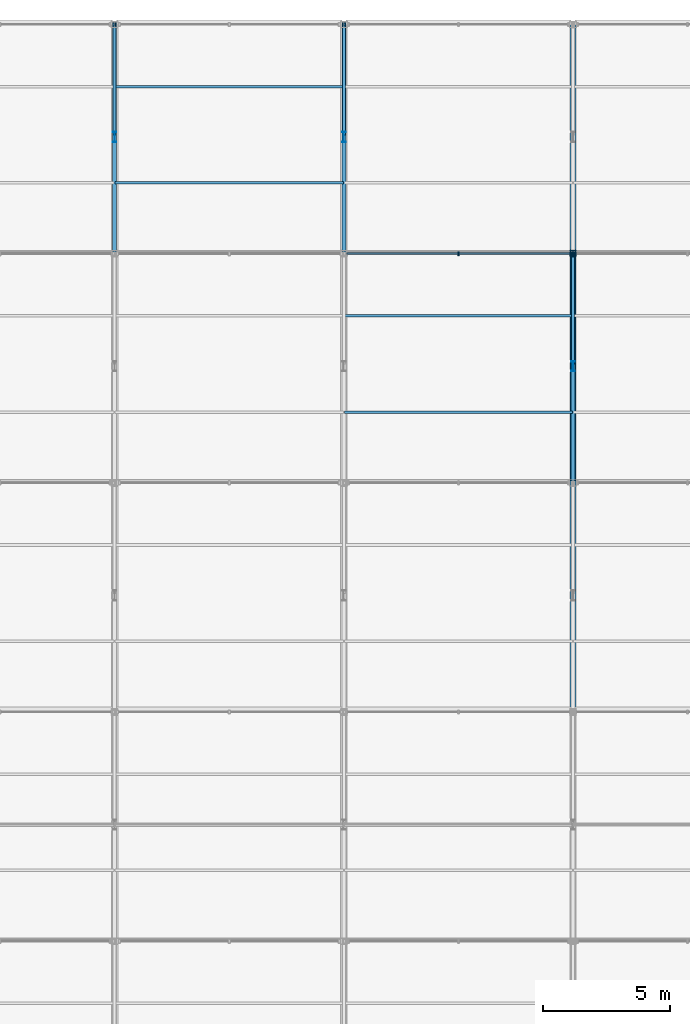
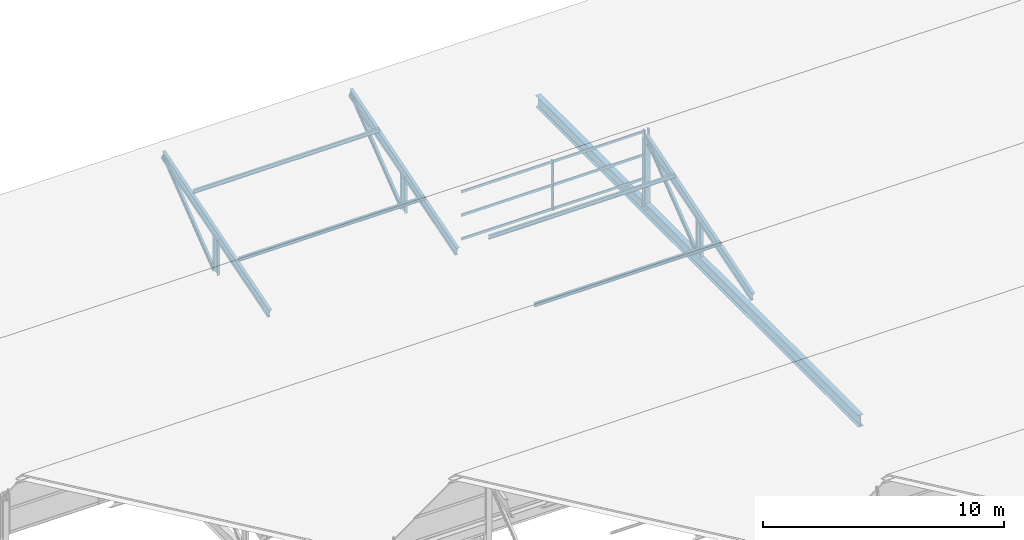
# One storey, part 102 of 163: 23 members, 1 beam, 2 elements without a shape of their own.
"""IFC4 building model written with IfcOpenShell, lengths in metres."""

from ifc_helpers import new_model, si_unit, direction, frame, origin, origin_2d, place, context, subcontext, project, spatial, rectangle, i_section, extrude, material, material_profile, profile_set, type_object, element, aggregate, save


model = new_model("IFC4")

# Units and contexts
model_context = context("Model", 3, precision=1e-05, world=origin(), true_north=direction((0.0, 1.0)))
body_context = subcontext(model_context, "Body", "Model", "MODEL_VIEW")
ifc_project = project(units=[si_unit("LENGTHUNIT", "METRE"), si_unit("AREAUNIT", "SQUARE_METRE"), si_unit("VOLUMEUNIT", "CUBIC_METRE"), si_unit("PLANEANGLEUNIT", "RADIAN"), si_unit("MASSUNIT", "GRAM", prefix="KILO")], contexts=[model_context])

# Site, building, storey
site_placement = place(None, origin())
site = spatial("IfcSite", under=ifc_project, at=site_placement, CompositionType="ELEMENT")
building_placement = place(site_placement, origin())
building = spatial("IfcBuilding", under=site, at=building_placement, Name="Tharagai Park Tramway Depot", CompositionType="ELEMENT")
storey_placement = place(building_placement, frame((0.0, 0.0, 8.39990234375)))
storey = spatial("IfcBuildingStorey", under=building, at=storey_placement, Name="L02", CompositionType="ELEMENT", Elevation=8.39990234375)

# Beam
ifc_material_1 = material(Name="Steel E350", Category="steel")
ifc_material_profile_1 = material_profile(ifc_material_1, i_section(OverallWidth=0.25, OverallDepth=0.60009765625, WebThickness=0.01171875, FlangeThickness=0.023681640625, FilletRadius=0.01708984375, at=origin_2d()), Name="ISWB 600")
ifc_profile_set_1 = profile_set([ifc_material_profile_1], Name="Steel E350")
beam_type = type_object("IfcBeamType", Name="BM-01", PredefinedType="BEAM", material=ifc_profile_set_1)
beam_placement = place(storey_placement, frame((117.0, 117.080078125, -0.25), z_axis=(0.0, 1.0, 0.0), x_axis=(-1.0, 0.0, 0.0)))
element("IfcBeam", 1, at=beam_placement, inside=storey, type_object=beam_type, Name="Sawtooth Truss Bottom Tie Girder BM-01", PredefinedType="BEAM", context=body_context, shape_type="SweptSolid", body=[
    extrude(i_section(OverallWidth=0.25, OverallDepth=0.60009765625, WebThickness=0.01171875, FlangeThickness=0.023681640625, FilletRadius=0.01708984375, at=origin_2d()), origin(), (0.0, 0.0, 1.0), 26.83984375),
])

# Members
ifc_material_profile_2 = material_profile(ifc_material_1, i_section(OverallWidth=0.25, OverallDepth=0.25, WebThickness=0.0087890625, FlangeThickness=0.009765625, FilletRadius=0.010009765625, at=origin_2d()), Name="ISHB 250")
ifc_profile_set_2 = profile_set([ifc_material_profile_2], Name="Steel E350")
member_type_1 = type_object("IfcMemberType", Name="BR-01", PredefinedType="BRACE", material=ifc_profile_set_2)
member_1_placement = place(storey_placement, frame((117.0, 134.919921875, -0.25), z_axis=(0.0, 0.0, 1.0), x_axis=(1.0, 0.0, 0.0)))
element("IfcMember", 2, at=member_1_placement, inside=storey, type_object=member_type_1, Name="Sawtooth North Vertical Post BR-01", PredefinedType="BRACE", context=body_context, shape_type="SweptSolid", body=[
    extrude(i_section(OverallWidth=0.25, OverallDepth=0.25, WebThickness=0.0087890625, FlangeThickness=0.009765625, FilletRadius=0.010009765625, at=origin_2d()), origin(), (0.0, 0.0, 1.0), 3.55517578125),
])
ifc_material_profile_3 = material_profile(ifc_material_1, i_section(OverallWidth=0.110107421875, OverallDepth=0.22509765625, WebThickness=0.006591796875, FlangeThickness=0.01171875, FilletRadius=0.011962890625, at=origin_2d()), Name="ISMB 225")
ifc_profile_set_3 = profile_set([ifc_material_profile_3], Name="Steel E350")
member_type_2 = type_object("IfcMemberType", Name="BR-04", PredefinedType="BRACE", material=ifc_profile_set_3)
for number, where, z_axis, x_axis, name in (
    (3, (99.0, 139.64990234375, 0.0), (0.0, 0.790781596, 0.612098413188), (-1.0, 0.0, 0.0), "Sawtooth Truss Web Diagonal BR-04"),
    (4, (108.0, 139.64990234375, 0.0), (0.0, 0.790781596, 0.612098413188), (-1.0, 0.0, 0.0), "Sawtooth Truss Web Diagonal BR-04"),
    (5, (117.0, 130.64990234375, 0.0), (0.0, 0.790781596, 0.612098413188), (-1.0, 0.0, 0.0), "Sawtooth Truss Web Diagonal BR-04"),
):
    element("IfcMember", number, at=place(storey_placement, frame(where, z_axis=z_axis, x_axis=x_axis)), inside=storey, type_object=member_type_2, Name=name, PredefinedType="BRACE", context=body_context, shape_type="SweptSolid", body=[
        extrude(i_section(OverallWidth=0.110107421875, OverallDepth=0.22509765625, WebThickness=0.006591796875, FlangeThickness=0.01171875, FilletRadius=0.011962890625, at=origin_2d()), origin(), (0.0, 0.0, 1.0), 5.399658203125),
    ])

# Curtain wall, members
ifc_material_2 = material(Name="Anodised aluminium", Category="aluminium")
curtain_wall_type = type_object("IfcCurtainWallType", Name="CW-04", PredefinedType="NOTDEFINED", material=ifc_material_2)
curtain_wall_1_placement = place(storey_placement, origin())
curtain_wall_1 = element("IfcCurtainWall", 6, at=curtain_wall_1_placement, inside=storey, type_object=curtain_wall_type, Name="Sawtooth North-Light Clerestory CW-04", PredefinedType="NOTDEFINED")
ifc_material_profile_4 = material_profile(ifc_material_2, rectangle(XDim=0.06494140625, YDim=0.1201171875, at=origin_2d()), Name="ALU 65x120")
ifc_profile_set_4 = profile_set([ifc_material_profile_4], Name="Anodised aluminium")
member_type_3 = type_object("IfcMemberType", Name="CM-01", PredefinedType="USERDEFINED", material=ifc_profile_set_4)
member_2_placement = place(storey_placement, frame((108.114990234375, 134.919921875, 1.26513671875), z_axis=(1.0, 0.0, 0.0), x_axis=(0.0, 1.0, 0.0)))
member_2 = element("IfcMember", 7, at=member_2_placement, type_object=member_type_3, Name="Sawtooth North-Light Clerestory Transom 1.1", ObjectType="TRANSOM", PredefinedType="USERDEFINED", context=body_context, shape_type="SweptSolid", body=[
    extrude(rectangle(XDim=0.06494140625, YDim=0.1201171875, at=origin_2d()), origin(), (0.0, 0.0, 1.0), 4.3701171875),
])
member_3_placement = place(storey_placement, frame((108.114990234375, 134.919921875, 2.4736328125), z_axis=(1.0, 0.0, 0.0), x_axis=(0.0, 1.0, 0.0)))
member_3 = element("IfcMember", 8, at=member_3_placement, type_object=member_type_3, Name="Sawtooth North-Light Clerestory Transom 1.2", ObjectType="TRANSOM", PredefinedType="USERDEFINED", context=body_context, shape_type="SweptSolid", body=[
    extrude(rectangle(XDim=0.06494140625, YDim=0.1201171875, at=origin_2d()), origin(), (0.0, 0.0, 1.0), 4.3701171875),
])
member_4_placement = place(storey_placement, frame((108.114990234375, 134.919921875, 3.662353515625), z_axis=(1.0, 0.0, 0.0), x_axis=(0.0, 1.0, 0.0)))
member_4 = element("IfcMember", 9, at=member_4_placement, type_object=member_type_3, Name="Sawtooth North-Light Clerestory Transom 1.3", ObjectType="TRANSOM", PredefinedType="USERDEFINED", context=body_context, shape_type="SweptSolid", body=[
    extrude(rectangle(XDim=0.06494140625, YDim=0.1201171875, at=origin_2d()), origin(), (0.0, 0.0, 1.0), 4.3701171875),
])
member_5_placement = place(storey_placement, frame((112.514892578125, 134.919921875, 1.26513671875), z_axis=(1.0, 0.0, 0.0), x_axis=(0.0, 1.0, 0.0)))
member_5 = element("IfcMember", 10, at=member_5_placement, type_object=member_type_3, Name="Sawtooth North-Light Clerestory Transom 2.1", ObjectType="TRANSOM", PredefinedType="USERDEFINED", context=body_context, shape_type="SweptSolid", body=[
    extrude(rectangle(XDim=0.06494140625, YDim=0.1201171875, at=origin_2d()), origin(), (0.0, 0.0, 1.0), 4.3701171875),
])
member_6_placement = place(storey_placement, frame((112.514892578125, 134.919921875, 2.4736328125), z_axis=(1.0, 0.0, 0.0), x_axis=(0.0, 1.0, 0.0)))
member_6 = element("IfcMember", 11, at=member_6_placement, type_object=member_type_3, Name="Sawtooth North-Light Clerestory Transom 2.2", ObjectType="TRANSOM", PredefinedType="USERDEFINED", context=body_context, shape_type="SweptSolid", body=[
    extrude(rectangle(XDim=0.06494140625, YDim=0.1201171875, at=origin_2d()), origin(), (0.0, 0.0, 1.0), 4.3701171875),
])
member_7_placement = place(storey_placement, frame((112.514892578125, 134.919921875, 3.662353515625), z_axis=(1.0, 0.0, 0.0), x_axis=(0.0, 1.0, 0.0)))
member_7 = element("IfcMember", 12, at=member_7_placement, type_object=member_type_3, Name="Sawtooth North-Light Clerestory Transom 2.3", ObjectType="TRANSOM", PredefinedType="USERDEFINED", context=body_context, shape_type="SweptSolid", body=[
    extrude(rectangle(XDim=0.06494140625, YDim=0.1201171875, at=origin_2d()), origin(), (0.0, 0.0, 1.0), 4.3701171875),
])
ifc_material_profile_5 = material_profile(ifc_material_2, rectangle(XDim=0.06494140625, YDim=0.14990234375, at=origin_2d()), Name="ALU 65x150")
ifc_profile_set_5 = profile_set([ifc_material_profile_5], Name="Anodised aluminium")
member_type_4 = type_object("IfcMemberType", Name="CM-03", PredefinedType="MULLION", material=ifc_profile_set_5)
member_8_placement = place(storey_placement, frame((112.5, 134.919921875, 1.2001953125), z_axis=(0.0, 0.0, 1.0), x_axis=(1.0, 0.0, 0.0)))
member_8 = element("IfcMember", 13, at=member_8_placement, type_object=member_type_4, Name="Sawtooth North-Light Clerestory Mullion 2", PredefinedType="MULLION", context=body_context, shape_type="SweptSolid", body=[
    extrude(rectangle(XDim=0.06494140625, YDim=0.14990234375, at=origin_2d()), origin(), (0.0, 0.0, 1.0), 2.547119140625),
])
member_9_placement = place(storey_placement, frame((116.89990234375, 134.919921875, 1.2001953125), z_axis=(0.0, 0.0, 1.0), x_axis=(1.0, 0.0, 0.0)))
member_9 = element("IfcMember", 14, at=member_9_placement, type_object=member_type_4, Name="Sawtooth North-Light Clerestory Mullion 3", PredefinedType="MULLION", context=body_context, shape_type="SweptSolid", body=[
    extrude(rectangle(XDim=0.06494140625, YDim=0.14990234375, at=origin_2d()), origin(), (0.0, 0.0, 1.0), 2.547119140625),
])
aggregate(curtain_wall_1, [member_8, member_9, member_2, member_3, member_4, member_5, member_6, member_7])

# Curtain wall, member
curtain_wall_2_placement = place(storey_placement, origin())
curtain_wall_2 = element("IfcCurtainWall", 15, at=curtain_wall_2_placement, inside=storey, type_object=curtain_wall_type, Name="Sawtooth North-Light Clerestory CW-04", PredefinedType="NOTDEFINED")
member_10_placement = place(storey_placement, frame((117.10009765625, 134.919921875, 1.2001953125), z_axis=(0.0, 0.0, 1.0), x_axis=(1.0, 0.0, 0.0)))
member_10 = element("IfcMember", 16, at=member_10_placement, type_object=member_type_4, Name="Sawtooth North-Light Clerestory Mullion 1", PredefinedType="MULLION", context=body_context, shape_type="SweptSolid", body=[
    extrude(rectangle(XDim=0.06494140625, YDim=0.14990234375, at=origin_2d()), origin(), (0.0, 0.0, 1.0), 2.547119140625),
])
aggregate(curtain_wall_2, [member_10])

# Members
ifc_material_3 = material(Name="Steel E250", Category="steel")
ifc_material_profile_6 = material_profile(ifc_material_3, i_section(OverallWidth=0.10009765625, OverallDepth=0.199951171875, WebThickness=0.00537109375, FlangeThickness=0.00732421875, FilletRadius=0.009033203125, at=origin_2d()), Name="ISLB 200")
ifc_profile_set_6 = profile_set([ifc_material_profile_6], Name="Steel E250")
member_type_5 = type_object("IfcMemberType", Name="PR-03", PredefinedType="PURLIN", material=ifc_profile_set_6)
for number, where, z_axis, x_axis, name in (
    (17, (99.02001953125, 137.699951171875, 1.733154296875), (1.0, 0.0, 0.0), (0.0, 1.0, 0.0), "Sawtooth Roof Purlin PR-03"),
    (18, (99.02001953125, 141.47998046875, 2.87451171875), (1.0, 0.0, 0.0), (0.0, 1.0, 0.0), "Sawtooth Roof Purlin PR-03"),
):
    element("IfcMember", number, at=place(storey_placement, frame(where, z_axis=z_axis, x_axis=x_axis)), inside=storey, type_object=member_type_5, Name=name, PredefinedType="PURLIN", context=body_context, shape_type="SweptSolid", body=[
        extrude(i_section(OverallWidth=0.10009765625, OverallDepth=0.199951171875, WebThickness=0.00537109375, FlangeThickness=0.00732421875, FilletRadius=0.009033203125, at=origin_2d()), origin(), (0.0, 0.0, 1.0), 8.9599609375),
    ])
ifc_material_profile_7 = material_profile(ifc_material_3, i_section(OverallWidth=0.10009765625, OverallDepth=0.199951171875, WebThickness=0.005615234375, FlangeThickness=0.0107421875, FilletRadius=0.010986328125, at=origin_2d()), Name="ISMB 200")
ifc_profile_set_7 = profile_set([ifc_material_profile_7], Name="Steel E250")
member_type_6 = type_object("IfcMemberType", Name="PR-04", PredefinedType="PURLIN", material=ifc_profile_set_7)
for number, where, z_axis, x_axis, name in (
    (19, (108.02001953125, 128.699951171875, 1.733154296875), (1.0, 0.0, 0.0), (0.0, 1.0, 0.0), "Sawtooth Roof Purlin PR-04"),
    (20, (108.02001953125, 132.47998046875, 2.87451171875), (1.0, 0.0, 0.0), (0.0, 1.0, 0.0), "Sawtooth Roof Purlin PR-04"),
):
    element("IfcMember", number, at=place(storey_placement, frame(where, z_axis=z_axis, x_axis=x_axis)), inside=storey, type_object=member_type_6, Name=name, PredefinedType="PURLIN", context=body_context, shape_type="SweptSolid", body=[
        extrude(i_section(OverallWidth=0.10009765625, OverallDepth=0.199951171875, WebThickness=0.005615234375, FlangeThickness=0.0107421875, FilletRadius=0.010986328125, at=origin_2d()), origin(), (0.0, 0.0, 1.0), 8.9599609375),
    ])
ifc_material_profile_8 = material_profile(ifc_material_1, i_section(OverallWidth=0.14990234375, OverallDepth=0.449951171875, WebThickness=0.009521484375, FlangeThickness=0.017333984375, FilletRadius=0.014892578125, at=origin_2d()), Name="ISMB 450")
ifc_profile_set_8 = profile_set([ifc_material_profile_8], Name="Steel E350")
member_type_7 = type_object("IfcMemberType", Name="TC-05", PredefinedType="CHORD", material=ifc_profile_set_8)
for number, where, z_axis, x_axis, name in (
    (21, (99.0, 135.06005859375, 0.587890625), (0.0, 0.956231486327, 0.29261125159), (-1.0, 0.0, 0.0), "Sawtooth Top Chord TC-05"),
    (22, (108.0, 135.06005859375, 0.587890625), (0.0, 0.956231486327, 0.29261125159), (-1.0, 0.0, 0.0), "Sawtooth Top Chord TC-05"),
    (23, (117.0, 126.06005859375, 0.587890625), (0.0, 0.956231486327, 0.29261125159), (-1.0, 0.0, 0.0), "Sawtooth Top Chord TC-05"),
):
    element("IfcMember", number, at=place(storey_placement, frame(where, z_axis=z_axis, x_axis=x_axis)), inside=storey, type_object=member_type_7, Name=name, PredefinedType="CHORD", context=body_context, shape_type="SweptSolid", body=[
        extrude(i_section(OverallWidth=0.14990234375, OverallDepth=0.449951171875, WebThickness=0.009521484375, FlangeThickness=0.017333984375, FilletRadius=0.014892578125, at=origin_2d()), origin(), (0.0, 0.0, 1.0), 9.286376953125),
    ])
ifc_material_profile_9 = material_profile(ifc_material_1, i_section(OverallWidth=0.139892578125, OverallDepth=0.39990234375, WebThickness=0.0087890625, FlangeThickness=0.01611328125, FilletRadius=0.013916015625, at=origin_2d()), Name="ISMB 400")
ifc_profile_set_9 = profile_set([ifc_material_profile_9], Name="Steel E350")
member_type_8 = type_object("IfcMemberType", Name="TC-06", PredefinedType="CHORD", material=ifc_profile_set_9)
for number, where, z_axis, x_axis, name in (
    (24, (99.0, 139.5, -0.0498046875), (0.0, 0.0, 1.0), (1.0, 0.0, 0.0), "Sawtooth Mid-Tooth Strut TC-06"),
    (25, (108.0, 139.5, -0.0498046875), (0.0, 0.0, 1.0), (1.0, 0.0, 0.0), "Sawtooth Mid-Tooth Strut TC-06"),
    (26, (117.0, 130.5, -0.0498046875), (0.0, 0.0, 1.0), (1.0, 0.0, 0.0), "Sawtooth Mid-Tooth Strut TC-06"),
):
    element("IfcMember", number, at=place(storey_placement, frame(where, z_axis=z_axis, x_axis=x_axis)), inside=storey, type_object=member_type_8, Name=name, PredefinedType="CHORD", context=body_context, shape_type="SweptSolid", body=[
        extrude(i_section(OverallWidth=0.139892578125, OverallDepth=0.39990234375, WebThickness=0.0087890625, FlangeThickness=0.01611328125, FilletRadius=0.013916015625, at=origin_2d()), origin(), (0.0, 0.0, 1.0), 1.846435546875),
    ])

save(model, "model.ifc")
